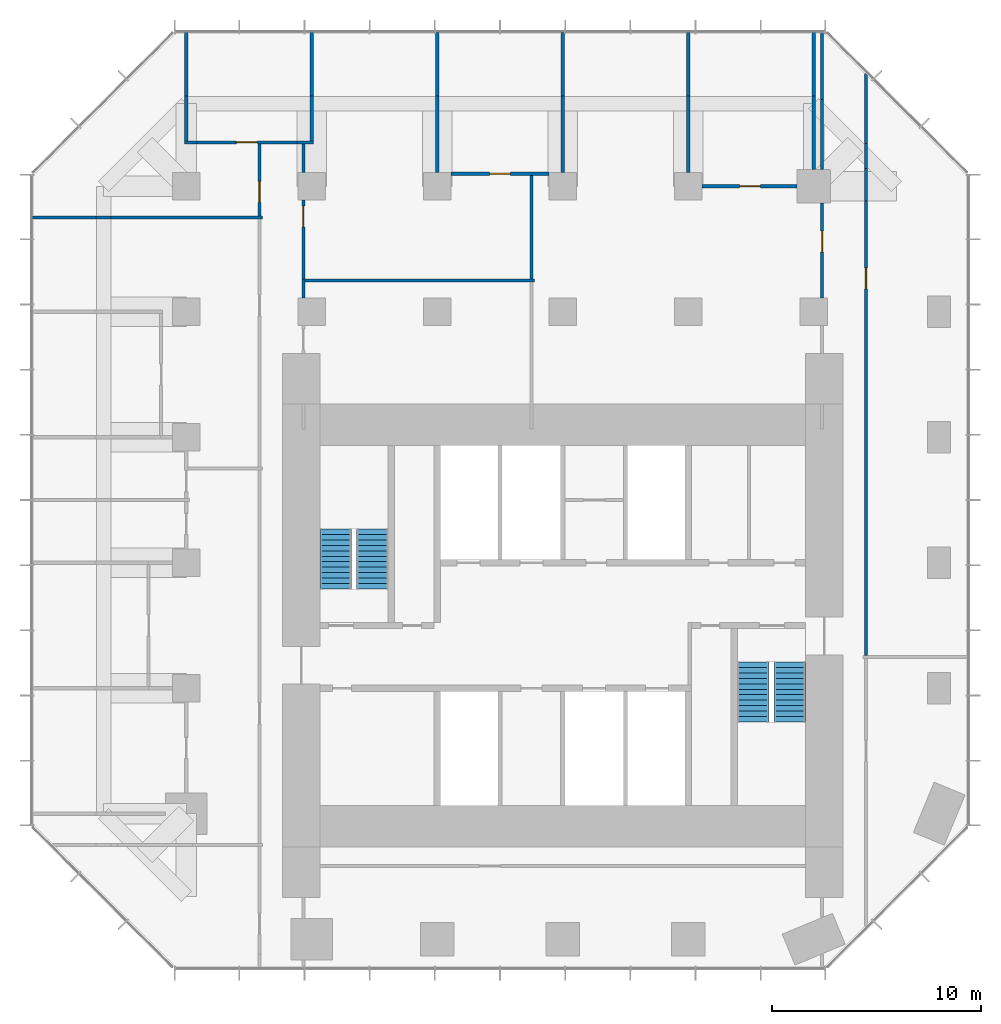
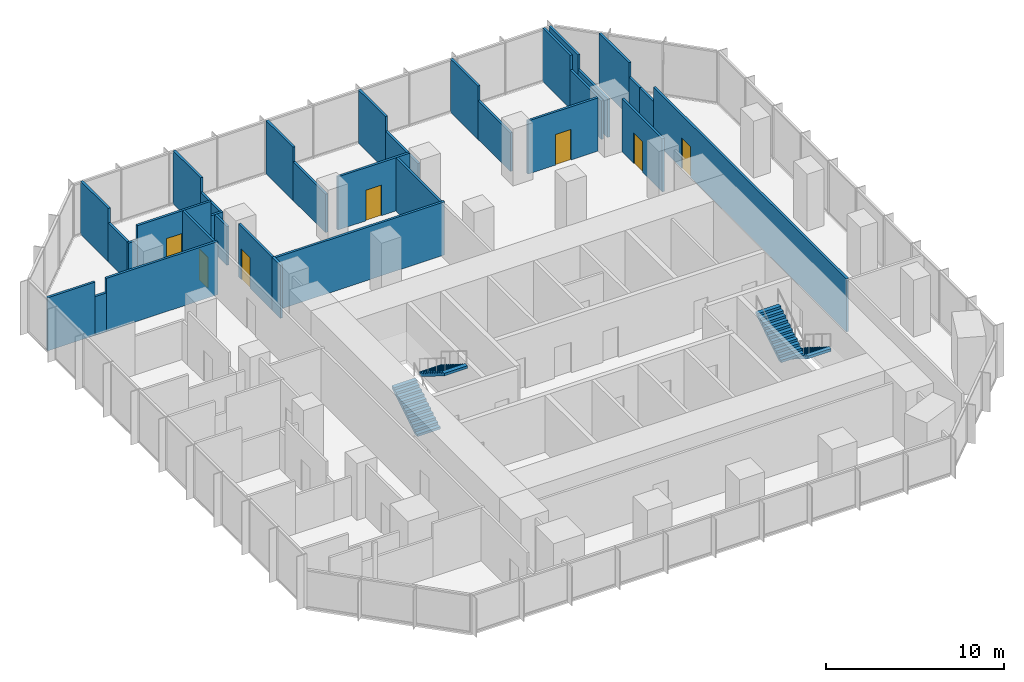
# One storey, part 10 of 11: 33 walls, 7 doors, 4 stair flights, 7 openings, 2 elements without a shape of their own.
"""IFC4 building model written with IfcOpenShell, lengths in metres."""

from ifc_helpers import new_model, si_unit, direction, frame, frame_2d, origin, place, context, subcontext, project, spatial, polyline, rectangle, outline, extrude, material, layer, layer_set, type_object, element, fill, aggregate, save


model = new_model("IFC4")

# Units and contexts
model_context = context("Model", 3, precision=1e-05, world=origin(), true_north=direction((0.0, 1.0)))
body_context = subcontext(model_context, "Body", "Model", "MODEL_VIEW")
ifc_project = project(units=[si_unit("LENGTHUNIT", "METRE"), si_unit("AREAUNIT", "SQUARE_METRE"), si_unit("VOLUMEUNIT", "CUBIC_METRE"), si_unit("PLANEANGLEUNIT", "RADIAN"), si_unit("MASSUNIT", "GRAM", prefix="KILO")], contexts=[model_context])

# Site, building, storey
site_placement = place(None, origin())
site = spatial("IfcSite", under=ifc_project, at=site_placement, CompositionType="ELEMENT")
building_placement = place(site_placement, origin())
building = spatial("IfcBuilding", under=site, at=building_placement, Name="Highveld Stack Headquarters", CompositionType="ELEMENT")
storey_placement = place(building_placement, frame((0.0, 0.0, 208.39990234375)))
storey = spatial("IfcBuildingStorey", under=building, at=storey_placement, Name="L51", CompositionType="ELEMENT", Elevation=208.39990234375)

# Wall, opening, door
ifc_material_1 = material(Name="Laminated glass in aluminium frame", Category="aluminium")
ifc_layer_1 = layer(ifc_material_1, 0.14990234375)
ifc_layer_set_1 = layer_set([ifc_layer_1], Name="Laminated glass in aluminium frame")
wall_type_1 = type_object("IfcWallType", Name="GLAZED PARTITION 150", PredefinedType="PARTITIONING", material=ifc_layer_set_1)
wall_1_placement = place(storey_placement, frame((12.659912109375, 24.0, 0.0), z_axis=(0.0, 0.0, 1.0), x_axis=(1.0, 0.0, 0.0)))
wall_1 = element("IfcWall", 1, at=wall_1_placement, inside=storey, type_object=wall_type_1, Name="Glazed partition Meeting room L51", PredefinedType="PARTITIONING", context=body_context, shape_type="SweptSolid", body=[
    extrude(rectangle(XDim=4.5400390625, YDim=0.14990234375, at=frame_2d((2.27001953125, 0.0))), origin(), (0.0, 0.0, 1.0), 3.650146484375),
])
opening_1_placement = place(wall_1_placement, frame((1.794921875, 0.0, 0.0)))
opening_1 = element("IfcOpeningElement", 2, at=opening_1_placement, cuts=wall_1, Name="Opening L51-20", PredefinedType="OPENING", context=body_context, shape_type="SweptSolid", body=[
    extrude(rectangle(XDim=1.0, YDim=2.10009765625, at=frame_2d((0.5, 1.050048828125))), frame((0.0, 0.0849609375, 0.0), z_axis=(0.0, -1.0, 0.0), x_axis=(1.0, 0.0, 0.0)), (0.0, 0.0, 1.0), 0.169921875),
])
ifc_material_2 = material(Name="Timber door, oiled ash", Category="wood")
door_type = type_object("IfcDoorType", Name="ROOM DOOR D6 1000x2100", OperationType="SINGLE_SWING_LEFT", PredefinedType="DOOR", material=ifc_material_2)
door_1_placement = place(opening_1_placement, origin())
door_1 = element("IfcDoor", 3, at=door_1_placement, inside=storey, type_object=door_type, Name="Meeting room door 1 L51", OperationType="SINGLE_SWING_RIGHT", OverallHeight=2.10009765625, OverallWidth=1.0, PredefinedType="DOOR", context=body_context, shape_type="SweptSolid", body=[
    extrude(rectangle(XDim=1.0, YDim=2.10009765625, at=frame_2d((0.5, 1.050048828125))), frame((0.0, 0.02490234375, 0.0), z_axis=(0.0, -1.0, 0.0), x_axis=(1.0, 0.0, 0.0)), (0.0, 0.0, 1.0), 0.050048828125),
])
fill(opening_1, door_1)

wall_2_placement = place(storey_placement, frame((0.659912109375, 24.60009765625, 0.0), z_axis=(0.0, 0.0, 1.0), x_axis=(1.0, 0.0, 0.0)))
wall_2 = element("IfcWall", 4, at=wall_2_placement, inside=storey, type_object=wall_type_1, Name="Glazed partition Video conference room L51", PredefinedType="PARTITIONING", context=body_context, shape_type="SweptSolid", body=[
    extrude(rectangle(XDim=4.68017578125, YDim=0.14990234375, at=frame_2d((2.340087890625, 0.0))), origin(), (0.0, 0.0, 1.0), 3.650146484375),
])
opening_2_placement = place(wall_2_placement, frame((1.840087890625, 0.0, 0.0)))
opening_2 = element("IfcOpeningElement", 5, at=opening_2_placement, cuts=wall_2, Name="Opening L51-19", PredefinedType="OPENING", context=body_context, shape_type="SweptSolid", body=[
    extrude(rectangle(XDim=1.0, YDim=2.10009765625, at=frame_2d((0.5, 1.050048828125))), frame((0.0, 0.0849609375, 0.0), z_axis=(0.0, -1.0, 0.0), x_axis=(1.0, 0.0, 0.0)), (0.0, 0.0, 1.0), 0.169921875),
])
door_2_placement = place(opening_2_placement, origin())
door_2 = element("IfcDoor", 6, at=door_2_placement, inside=storey, type_object=door_type, Name="Video conference room door 1 L51", OperationType="SINGLE_SWING_RIGHT", OverallHeight=2.10009765625, OverallWidth=1.0, PredefinedType="DOOR", context=body_context, shape_type="SweptSolid", body=[
    extrude(rectangle(XDim=1.0, YDim=2.10009765625, at=frame_2d((0.5, 1.050048828125))), frame((0.0, 0.02490234375, 0.0), z_axis=(0.0, -1.0, 0.0), x_axis=(1.0, 0.0, 0.0)), (0.0, 0.0, 1.0), 0.050048828125),
])
fill(opening_2, door_2)

# Wall
ifc_material_3 = material(Name="Gypsum plasterboard on steel studs", Category="steel")
ifc_layer_2 = layer(ifc_material_3, 0.14990234375)
ifc_layer_set_2 = layer_set([ifc_layer_2], Name="Gypsum plasterboard on steel studs")
wall_type_2 = type_object("IfcWallType", Name="PARTITION 150 PLASTERBOARD", PredefinedType="PARTITIONING", material=ifc_layer_set_2)
wall_3_placement = place(storey_placement, frame((-12.074951171875, 26.10009765625, 0.0), z_axis=(0.0, 0.0, 1.0), x_axis=(1.0, 0.0, 0.0)))
element("IfcWall", 7, at=wall_3_placement, inside=storey, type_object=wall_type_2, Name="Partition Focus room L51", PredefinedType="PARTITIONING", context=body_context, shape_type="SweptSolid", body=[
    extrude(rectangle(XDim=0.5849609375, YDim=0.14990234375, at=frame_2d((0.29248046875, 0.0))), origin(), (0.0, 0.0, 1.0), 2.650146484375),
])

# Wall, opening, door
wall_4_placement = place(storey_placement, frame((-11.489990234375, 26.10009765625, 0.0), z_axis=(0.0, 0.0, 1.0), x_axis=(1.0, 0.0, 0.0)))
wall_4 = element("IfcWall", 8, at=wall_4_placement, inside=storey, type_object=wall_type_2, Name="Partition Focus room L51", PredefinedType="PARTITIONING", context=body_context, shape_type="SweptSolid", body=[
    extrude(rectangle(XDim=4.780029296875, YDim=0.14990234375, at=frame_2d((2.39013671875, 0.0))), origin(), (0.0, 0.0, 1.0), 3.650146484375),
])
opening_3_placement = place(wall_4_placement, frame((1.889892578125, 0.0, 0.0)))
opening_3 = element("IfcOpeningElement", 9, at=opening_3_placement, cuts=wall_4, Name="Opening L51-18", PredefinedType="OPENING", context=body_context, shape_type="SweptSolid", body=[
    extrude(rectangle(XDim=1.0, YDim=2.10009765625, at=frame_2d((0.5, 1.050048828125))), frame((0.0, 0.0849609375, 0.0), z_axis=(0.0, -1.0, 0.0), x_axis=(1.0, 0.0, 0.0)), (0.0, 0.0, 1.0), 0.169921875),
])
door_3_placement = place(opening_3_placement, origin())
door_3 = element("IfcDoor", 10, at=door_3_placement, inside=storey, type_object=door_type, Name="Focus room door 1 L51", OperationType="SINGLE_SWING_RIGHT", OverallHeight=2.10009765625, OverallWidth=1.0, PredefinedType="DOOR", context=body_context, shape_type="SweptSolid", body=[
    extrude(rectangle(XDim=1.0, YDim=2.10009765625, at=frame_2d((0.5, 1.050048828125))), frame((0.0, 0.02490234375, 0.0), z_axis=(0.0, -1.0, 0.0), x_axis=(1.0, 0.0, 0.0)), (0.0, 0.0, 1.0), 0.050048828125),
])
fill(opening_3, door_3)

# Walls
wall_5_placement = place(storey_placement, frame((-6.7099609375, 26.10009765625, 0.0), z_axis=(0.0, 0.0, 1.0), x_axis=(1.0, 0.0, 0.0)))
element("IfcWall", 11, at=wall_5_placement, inside=storey, type_object=wall_type_2, Name="Partition Focus room L51", PredefinedType="PARTITIONING", context=body_context, shape_type="SweptSolid", body=[
    extrude(rectangle(XDim=0.784912109375, YDim=0.14990234375, at=frame_2d((0.392578125, 0.0))), origin(), (0.0, 0.0, 1.0), 2.650146484375),
])
wall_6_placement = place(storey_placement, frame((-12.0, 26.175048828125, 0.0), z_axis=(0.0, 0.0, 1.0), x_axis=(0.0, 1.0, 0.0)))
element("IfcWall", 12, at=wall_6_placement, inside=storey, type_object=wall_type_2, Name="Partition Focus room L51", PredefinedType="PARTITIONING", context=body_context, shape_type="SweptSolid", body=[
    extrude(rectangle(XDim=2.135009765625, YDim=0.14990234375, at=frame_2d((1.0673828125, 0.0))), origin(), (0.0, 0.0, 1.0), 2.650146484375),
])
wall_7_placement = place(storey_placement, frame((-12.0, 28.31005859375, 0.0), z_axis=(0.0, 0.0, 1.0), x_axis=(0.0, 1.0, 0.0)))
element("IfcWall", 13, at=wall_7_placement, inside=storey, type_object=wall_type_2, Name="Partition Focus room L51", PredefinedType="PARTITIONING", context=body_context, shape_type="SweptSolid", body=[
    extrude(rectangle(XDim=3.08984375, YDim=0.14990234375, at=frame_2d((1.544921875, 0.0))), origin(), (0.0, 0.0, 1.0), 3.650146484375),
])
wall_8_placement = place(storey_placement, frame((-6.0, 26.175048828125, 0.0), z_axis=(0.0, 0.0, 1.0), x_axis=(0.0, 1.0, 0.0)))
element("IfcWall", 14, at=wall_8_placement, inside=storey, type_object=wall_type_2, Name="Partition Focus room L51", PredefinedType="PARTITIONING", context=body_context, shape_type="SweptSolid", body=[
    extrude(rectangle(XDim=2.135009765625, YDim=0.14990234375, at=frame_2d((1.0673828125, 0.0))), origin(), (0.0, 0.0, 1.0), 2.650146484375),
])
wall_9_placement = place(storey_placement, frame((-6.0, 28.31005859375, 0.0), z_axis=(0.0, 0.0, 1.0), x_axis=(0.0, 1.0, 0.0)))
element("IfcWall", 15, at=wall_9_placement, inside=storey, type_object=wall_type_2, Name="Partition Focus room L51", PredefinedType="PARTITIONING", context=body_context, shape_type="SweptSolid", body=[
    extrude(rectangle(XDim=3.08984375, YDim=0.14990234375, at=frame_2d((1.544921875, 0.0))), origin(), (0.0, 0.0, 1.0), 3.650146484375),
])
wall_10_placement = place(storey_placement, frame((0.0, 24.64990234375, 0.0), z_axis=(0.0, 0.0, 1.0), x_axis=(0.0, 1.0, 0.0)))
element("IfcWall", 16, at=wall_10_placement, inside=storey, type_object=wall_type_2, Name="Partition Video conference room L51", PredefinedType="PARTITIONING", context=body_context, shape_type="SweptSolid", body=[
    extrude(rectangle(XDim=3.66015625, YDim=0.14990234375, at=frame_2d((1.830078125, 0.0))), origin(), (0.0, 0.0, 1.0), 2.650146484375),
])
wall_11_placement = place(storey_placement, frame((0.0, 28.31005859375, 0.0), z_axis=(0.0, 0.0, 1.0), x_axis=(0.0, 1.0, 0.0)))
element("IfcWall", 17, at=wall_11_placement, inside=storey, type_object=wall_type_2, Name="Partition Video conference room L51", PredefinedType="PARTITIONING", context=body_context, shape_type="SweptSolid", body=[
    extrude(rectangle(XDim=3.0400390625, YDim=0.14990234375, at=frame_2d((1.52001953125, 0.0))), origin(), (0.0, 0.0, 1.0), 3.650146484375),
])
wall_12_placement = place(storey_placement, frame((6.0, 24.64990234375, 0.0), z_axis=(0.0, 0.0, 1.0), x_axis=(0.0, 1.0, 0.0)))
element("IfcWall", 18, at=wall_12_placement, inside=storey, type_object=wall_type_2, Name="Partition Video conference room L51", PredefinedType="PARTITIONING", context=body_context, shape_type="SweptSolid", body=[
    extrude(rectangle(XDim=3.66015625, YDim=0.14990234375, at=frame_2d((1.830078125, 0.0))), origin(), (0.0, 0.0, 1.0), 2.650146484375),
])
wall_13_placement = place(storey_placement, frame((6.0, 28.31005859375, 0.0), z_axis=(0.0, 0.0, 1.0), x_axis=(0.0, 1.0, 0.0)))
element("IfcWall", 19, at=wall_13_placement, inside=storey, type_object=wall_type_2, Name="Partition Video conference room L51", PredefinedType="PARTITIONING", context=body_context, shape_type="SweptSolid", body=[
    extrude(rectangle(XDim=3.0400390625, YDim=0.14990234375, at=frame_2d((1.52001953125, 0.0))), origin(), (0.0, 0.0, 1.0), 3.650146484375),
])
wall_14_placement = place(storey_placement, frame((12.0, 24.64990234375, 0.0), z_axis=(0.0, 0.0, 1.0), x_axis=(0.0, 1.0, 0.0)))
element("IfcWall", 20, at=wall_14_placement, inside=storey, type_object=wall_type_2, Name="Partition Meeting room L51", PredefinedType="PARTITIONING", context=body_context, shape_type="SweptSolid", body=[
    extrude(rectangle(XDim=3.66015625, YDim=0.14990234375, at=frame_2d((1.830078125, 0.0))), origin(), (0.0, 0.0, 1.0), 2.650146484375),
])
wall_15_placement = place(storey_placement, frame((12.0, 28.31005859375, 0.0), z_axis=(0.0, 0.0, 1.0), x_axis=(0.0, 1.0, 0.0)))
element("IfcWall", 21, at=wall_15_placement, inside=storey, type_object=wall_type_2, Name="Partition Meeting room L51", PredefinedType="PARTITIONING", context=body_context, shape_type="SweptSolid", body=[
    extrude(rectangle(XDim=3.08984375, YDim=0.14990234375, at=frame_2d((1.544921875, 0.0))), origin(), (0.0, 0.0, 1.0), 3.650146484375),
])
wall_16_placement = place(storey_placement, frame((18.0, 24.800048828125, 0.0), z_axis=(0.0, 0.0, 1.0), x_axis=(0.0, 1.0, 0.0)))
element("IfcWall", 22, at=wall_16_placement, inside=storey, type_object=wall_type_2, Name="Partition Meeting room L51", PredefinedType="PARTITIONING", context=body_context, shape_type="SweptSolid", body=[
    extrude(rectangle(XDim=3.510009765625, YDim=0.14990234375, at=frame_2d((1.7548828125, 0.0))), origin(), (0.0, 0.0, 1.0), 2.650146484375),
])
for number, where, z_axis, x_axis, name in (
    (23, (18.0, 28.31005859375, 0.0), (0.0, 0.0, 1.0), (0.0, 1.0, 0.0), "Partition Meeting room L51"),
    (24, (-19.39990234375, 22.5, 0.0), (0.0, 0.0, 1.0), (1.0, 0.0, 0.0), "Partition office neighbourhood L51"),
):
    element("IfcWall", number, at=place(storey_placement, frame(where, z_axis=z_axis, x_axis=x_axis)), inside=storey, type_object=wall_type_2, Name=name, PredefinedType="PARTITIONING", context=body_context, shape_type="SweptSolid", body=[
        extrude(rectangle(XDim=3.08984375, YDim=0.14990234375, at=frame_2d((1.544921875, 0.0))), origin(), (0.0, 0.0, 1.0), 3.650146484375),
    ])
wall_17_placement = place(storey_placement, frame((-16.31005859375, 22.5, 0.0), z_axis=(0.0, 0.0, 1.0), x_axis=(1.0, 0.0, 0.0)))
element("IfcWall", 25, at=wall_17_placement, inside=storey, type_object=wall_type_2, Name="Partition office neighbourhood L51", PredefinedType="PARTITIONING", context=body_context, shape_type="SweptSolid", body=[
    extrude(rectangle(XDim=0.719970703125, YDim=0.14990234375, at=frame_2d((0.35986328125, 0.0))), origin(), (0.0, 0.0, 1.0), 2.650146484375),
])
wall_18_placement = place(storey_placement, frame((-15.590087890625, 22.5, 0.0), z_axis=(0.0, 0.0, 1.0), x_axis=(1.0, 0.0, 0.0)))
element("IfcWall", 26, at=wall_18_placement, inside=storey, type_object=wall_type_2, Name="Partition office neighbourhood L51", PredefinedType="PARTITIONING", context=body_context, shape_type="SweptSolid", body=[
    extrude(rectangle(XDim=7.239990234375, YDim=0.14990234375, at=frame_2d((3.6201171875, 0.0))), origin(), (0.0, 0.0, 1.0), 3.650146484375),
])

# Wall, opening, door
wall_19_placement = place(storey_placement, frame((-8.5, 22.574951171875, 0.0), z_axis=(0.0, 0.0, 1.0), x_axis=(0.0, 1.0, 0.0)))
wall_19 = element("IfcWall", 27, at=wall_19_placement, inside=storey, type_object=wall_type_2, Name="Partition office neighbourhood L51", PredefinedType="PARTITIONING", context=body_context, shape_type="SweptSolid", body=[
    extrude(rectangle(XDim=3.449951171875, YDim=0.14990234375, at=frame_2d((1.72509765625, 0.0))), origin(), (0.0, 0.0, 1.0), 3.650146484375),
])
opening_4_placement = place(wall_19_placement, frame((0.658935546875, 0.0, 0.0)))
opening_4 = element("IfcOpeningElement", 28, at=opening_4_placement, cuts=wall_19, Name="Opening L51-27", PredefinedType="OPENING", context=body_context, shape_type="SweptSolid", body=[
    extrude(rectangle(XDim=1.0, YDim=2.10009765625, at=frame_2d((0.5, 1.050048828125))), frame((0.0, 0.0849609375, 0.0), z_axis=(0.0, -1.0, 0.0), x_axis=(1.0, 0.0, 0.0)), (0.0, 0.0, 1.0), 0.169921875),
])
door_4_placement = place(opening_4_placement, origin())
door_4 = element("IfcDoor", 29, at=door_4_placement, inside=storey, type_object=door_type, Name="Office neighbourhood door L51", OperationType="SINGLE_SWING_LEFT", OverallHeight=2.10009765625, OverallWidth=1.0, PredefinedType="DOOR", context=body_context, shape_type="SweptSolid", body=[
    extrude(rectangle(XDim=1.0, YDim=2.10009765625, at=frame_2d((0.5, 1.050048828125))), frame((0.0, 0.02490234375, 0.0), z_axis=(0.0, -1.0, 0.0), x_axis=(1.0, 0.0, 0.0)), (0.0, 0.0, 1.0), 0.050048828125),
])
fill(opening_4, door_4)

# Wall
wall_20_placement = place(storey_placement, frame((-6.39990234375, 18.64990234375, 0.0), z_axis=(0.0, 0.0, 1.0), x_axis=(0.0, 1.0, 0.0)))
element("IfcWall", 30, at=wall_20_placement, inside=storey, type_object=wall_type_2, Name="Partition office neighbourhood L51", PredefinedType="PARTITIONING", context=body_context, shape_type="SweptSolid", body=[
    extrude(rectangle(XDim=0.925048828125, YDim=0.14990234375, at=frame_2d((0.46240234375, 0.0))), origin(), (0.0, 0.0, 1.0), 3.650146484375),
])

# Wall, opening, door
wall_21_placement = place(storey_placement, frame((-6.39990234375, 19.5, 0.0), z_axis=(0.0, 0.0, 1.0), x_axis=(0.0, 1.0, 0.0)))
wall_21 = element("IfcWall", 31, at=wall_21_placement, inside=storey, type_object=wall_type_2, Name="Partition office neighbourhood L51", PredefinedType="PARTITIONING", context=body_context, shape_type="SweptSolid", body=[
    extrude(rectangle(XDim=3.85009765625, YDim=0.14990234375, at=frame_2d((1.925048828125, 0.0))), origin(), (0.0, 0.0, 1.0), 3.650146484375),
])
opening_5_placement = place(wall_21_placement, frame((2.550048828125, 0.0, 0.0)))
opening_5 = element("IfcOpeningElement", 32, at=opening_5_placement, cuts=wall_21, Name="Opening L51-26", PredefinedType="OPENING", context=body_context, shape_type="SweptSolid", body=[
    extrude(rectangle(XDim=1.0, YDim=2.10009765625, at=frame_2d((0.5, 1.050048828125))), frame((0.0, 0.0849609375, 0.0), z_axis=(0.0, -1.0, 0.0), x_axis=(1.0, 0.0, 0.0)), (0.0, 0.0, 1.0), 0.169921875),
])
door_5_placement = place(opening_5_placement, origin())
door_5 = element("IfcDoor", 33, at=door_5_placement, inside=storey, type_object=door_type, Name="Office neighbourhood door L51", OperationType="SINGLE_SWING_RIGHT", OverallHeight=2.10009765625, OverallWidth=1.0, PredefinedType="DOOR", context=body_context, shape_type="SweptSolid", body=[
    extrude(rectangle(XDim=1.0, YDim=2.10009765625, at=frame_2d((0.5, 1.050048828125))), frame((0.0, 0.02490234375, 0.0), z_axis=(0.0, -1.0, 0.0), x_axis=(1.0, 0.0, 0.0)), (0.0, 0.0, 1.0), 0.050048828125),
])
fill(opening_5, door_5)

# Walls
wall_22_placement = place(storey_placement, frame((-6.39990234375, 24.64990234375, 0.0), z_axis=(0.0, 0.0, 1.0), x_axis=(0.0, 1.0, 0.0)))
element("IfcWall", 34, at=wall_22_placement, inside=storey, type_object=wall_type_2, Name="Partition office neighbourhood L51", PredefinedType="PARTITIONING", context=body_context, shape_type="SweptSolid", body=[
    extrude(rectangle(XDim=1.375, YDim=0.14990234375, at=frame_2d((0.6875, 0.0))), origin(), (0.0, 0.0, 1.0), 2.650146484375),
])
wall_23_placement = place(storey_placement, frame((-6.324951171875, 19.5, 0.0), z_axis=(0.0, 0.0, 1.0), x_axis=(1.0, 0.0, 0.0)))
element("IfcWall", 35, at=wall_23_placement, inside=storey, type_object=wall_type_2, Name="Partition office neighbourhood L51", PredefinedType="PARTITIONING", context=body_context, shape_type="SweptSolid", body=[
    extrude(rectangle(XDim=10.974853515625, YDim=0.14990234375, at=frame_2d((5.4873046875, 0.0))), origin(), (0.0, 0.0, 1.0), 3.650146484375),
])
wall_24_placement = place(storey_placement, frame((4.5, 19.574951171875, 0.0), z_axis=(0.0, 0.0, 1.0), x_axis=(0.0, 1.0, 0.0)))
element("IfcWall", 36, at=wall_24_placement, inside=storey, type_object=wall_type_2, Name="Partition office neighbourhood L51", PredefinedType="PARTITIONING", context=body_context, shape_type="SweptSolid", body=[
    extrude(rectangle(XDim=4.949951171875, YDim=0.14990234375, at=frame_2d((2.47509765625, 0.0))), origin(), (0.0, 0.0, 1.0), 3.650146484375),
])

# Wall, opening, door
wall_25_placement = place(storey_placement, frame((18.39990234375, 18.64990234375, 0.0), z_axis=(0.0, 0.0, 1.0), x_axis=(0.0, 1.0, 0.0)))
wall_25 = element("IfcWall", 37, at=wall_25_placement, inside=storey, type_object=wall_type_2, Name="Partition office neighbourhood L51", PredefinedType="PARTITIONING", context=body_context, shape_type="SweptSolid", body=[
    extrude(rectangle(XDim=4.550048828125, YDim=0.14990234375, at=frame_2d((2.27490234375, 0.0))), origin(), (0.0, 0.0, 1.0), 3.650146484375),
])
opening_6_placement = place(wall_25_placement, frame((2.205078125, 0.0, 0.0)))
opening_6 = element("IfcOpeningElement", 38, at=opening_6_placement, cuts=wall_25, Name="Opening L51-28", PredefinedType="OPENING", context=body_context, shape_type="SweptSolid", body=[
    extrude(rectangle(XDim=1.0, YDim=2.10009765625, at=frame_2d((0.5, 1.050048828125))), frame((0.0, 0.0849609375, 0.0), z_axis=(0.0, -1.0, 0.0), x_axis=(1.0, 0.0, 0.0)), (0.0, 0.0, 1.0), 0.169921875),
])
door_6_placement = place(opening_6_placement, origin())
door_6 = element("IfcDoor", 39, at=door_6_placement, inside=storey, type_object=door_type, Name="Office neighbourhood door L51", OperationType="SINGLE_SWING_RIGHT", OverallHeight=2.10009765625, OverallWidth=1.0, PredefinedType="DOOR", context=body_context, shape_type="SweptSolid", body=[
    extrude(rectangle(XDim=1.0, YDim=2.10009765625, at=frame_2d((0.5, 1.050048828125))), frame((0.0, 0.02490234375, 0.0), z_axis=(0.0, -1.0, 0.0), x_axis=(1.0, 0.0, 0.0)), (0.0, 0.0, 1.0), 0.050048828125),
])
fill(opening_6, door_6)

# Walls
wall_26_placement = place(storey_placement, frame((18.39990234375, 24.800048828125, 0.0), z_axis=(0.0, 0.0, 1.0), x_axis=(0.0, 1.0, 0.0)))
element("IfcWall", 40, at=wall_26_placement, inside=storey, type_object=wall_type_2, Name="Partition office neighbourhood L51", PredefinedType="PARTITIONING", context=body_context, shape_type="SweptSolid", body=[
    extrude(rectangle(XDim=3.33984375, YDim=0.14990234375, at=frame_2d((1.669921875, 0.0))), origin(), (0.0, 0.0, 1.0), 2.650146484375),
])
wall_27_placement = place(storey_placement, frame((18.39990234375, 28.139892578125, 0.0), z_axis=(0.0, 0.0, 1.0), x_axis=(0.0, 1.0, 0.0)))
element("IfcWall", 41, at=wall_27_placement, inside=storey, type_object=wall_type_2, Name="Partition office neighbourhood L51", PredefinedType="PARTITIONING", context=body_context, shape_type="SweptSolid", body=[
    extrude(rectangle(XDim=3.260009765625, YDim=0.14990234375, at=frame_2d((1.6298828125, 0.0))), origin(), (0.0, 0.0, 1.0), 3.650146484375),
])

# Wall, opening, door
wall_28_placement = place(storey_placement, frame((20.5, 1.574951171875, 0.0), z_axis=(0.0, 0.0, 1.0), x_axis=(0.0, 1.0, 0.0)))
wall_28 = element("IfcWall", 42, at=wall_28_placement, inside=storey, type_object=wall_type_2, Name="Partition office neighbourhood L51", PredefinedType="PARTITIONING", context=body_context, shape_type="SweptSolid", body=[
    extrude(rectangle(XDim=21.715087890625, YDim=0.14990234375, at=frame_2d((10.857421875, 0.0))), origin(), (0.0, 0.0, 1.0), 3.650146484375),
])
opening_7_placement = place(wall_28_placement, frame((17.52001953125, 0.0, 0.0)))
opening_7 = element("IfcOpeningElement", 43, at=opening_7_placement, cuts=wall_28, Name="Opening L51-24", PredefinedType="OPENING", context=body_context, shape_type="SweptSolid", body=[
    extrude(rectangle(XDim=1.0, YDim=2.10009765625, at=frame_2d((0.5, 1.050048828125))), frame((0.0, 0.0849609375, 0.0), z_axis=(0.0, -1.0, 0.0), x_axis=(1.0, 0.0, 0.0)), (0.0, 0.0, 1.0), 0.169921875),
])
door_7_placement = place(opening_7_placement, origin())
door_7 = element("IfcDoor", 44, at=door_7_placement, inside=storey, type_object=door_type, Name="Office neighbourhood door L51", OperationType="SINGLE_SWING_RIGHT", OverallHeight=2.10009765625, OverallWidth=1.0, PredefinedType="DOOR", context=body_context, shape_type="SweptSolid", body=[
    extrude(rectangle(XDim=1.0, YDim=2.10009765625, at=frame_2d((0.5, 1.050048828125))), frame((0.0, 0.02490234375, 0.0), z_axis=(0.0, -1.0, 0.0), x_axis=(1.0, 0.0, 0.0)), (0.0, 0.0, 1.0), 0.050048828125),
])
fill(opening_7, door_7)

# Walls
wall_29_placement = place(storey_placement, frame((20.5, 23.2900390625, 0.0), z_axis=(0.0, 0.0, 1.0), x_axis=(0.0, 1.0, 0.0)))
element("IfcWall", 45, at=wall_29_placement, inside=storey, type_object=wall_type_2, Name="Partition office neighbourhood L51", PredefinedType="PARTITIONING", context=body_context, shape_type="SweptSolid", body=[
    extrude(rectangle(XDim=1.570068359375, YDim=0.14990234375, at=frame_2d((0.78515625, 0.0))), origin(), (0.0, 0.0, 1.0), 2.650146484375),
])
wall_30_placement = place(storey_placement, frame((20.5, 24.860107421875, 0.0), z_axis=(0.0, 0.0, 1.0), x_axis=(0.0, 1.0, 0.0)))
element("IfcWall", 46, at=wall_30_placement, inside=storey, type_object=wall_type_2, Name="Partition office neighbourhood L51", PredefinedType="PARTITIONING", context=body_context, shape_type="SweptSolid", body=[
    extrude(rectangle(XDim=1.179931640625, YDim=0.14990234375, at=frame_2d((0.58984375, 0.0))), origin(), (0.0, 0.0, 1.0), 2.650146484375),
])
wall_31_placement = place(storey_placement, frame((20.5, 26.0400390625, 0.0), z_axis=(0.0, 0.0, 1.0), x_axis=(0.0, 1.0, 0.0)))
element("IfcWall", 47, at=wall_31_placement, inside=storey, type_object=wall_type_2, Name="Partition office neighbourhood L51", PredefinedType="PARTITIONING", context=body_context, shape_type="SweptSolid", body=[
    extrude(rectangle(XDim=3.347900390625, YDim=0.14990234375, at=frame_2d((1.673828125, 0.0))), origin(), (0.0, 0.0, 1.0), 3.650146484375),
])

# Stair, stair flights
ifc_material_4 = material(Name="Concrete C40/50, precast", Category="concrete")
stair_type_1 = type_object("IfcStairType", Name="STAIR S1 HALF TURN 1500", PredefinedType="HALF_TURN_STAIR", material=ifc_material_4)
stair_1_placement = place(storey_placement, origin())
stair_1 = element("IfcStair", 48, at=stair_1_placement, inside=storey, type_object=stair_type_1, Name="Stair S1 L51", PredefinedType="HALF_TURN_STAIR")
ifc_material_5 = material(Name="Concrete C40/50, precast", Category="concrete")
stair_flight_type = type_object("IfcStairFlightType", Name="STAIR FLIGHT 1500 PRECAST", PredefinedType="STRAIGHT", material=ifc_material_5)
stair_flight_1_placement = place(storey_placement, frame((-4.85009765625, 4.75, 0.0), z_axis=(0.0, 0.0, 1.0), x_axis=(0.0, 1.0, 0.0)))
stair_flight_1 = element("IfcStairFlight", 49, at=stair_flight_1_placement, type_object=stair_flight_type, Name="S1 flight 1", NumberOfRisers=12, NumberOfTreads=11, PredefinedType="STRAIGHT", RiserHeight=0.1625, TreadLength=0.26, context=body_context, shape_type="SweptSolid", body=[
    extrude(outline(polyline([(0.0, 0.0), (0.0, 0.16259765625), (0.260009765625, 0.16259765625), (0.260009765625, 0.324951171875), (0.52001953125, 0.324951171875), (0.52001953125, 0.487548828125), (0.780029296875, 0.487548828125), (0.780029296875, 0.64990234375), (1.0400390625, 0.64990234375), (1.0400390625, 0.8125), (1.300048828125, 0.8125), (1.300048828125, 0.97509765625), (1.56005859375, 0.97509765625), (1.56005859375, 1.137451171875), (1.820068359375, 1.137451171875), (1.820068359375, 1.300048828125), (2.080078125, 1.300048828125), (2.080078125, 1.46240234375), (2.340087890625, 1.46240234375), (2.340087890625, 1.625), (2.60009765625, 1.625), (2.60009765625, 1.78759765625), (2.860107421875, 1.78759765625), (2.860107421875, 1.949951171875), (2.860107421875, 1.61083984375), (0.28271484375, 0.0), (0.0, 0.0)])), frame((0.0, 0.75, 0.0), z_axis=(0.0, -1.0, 0.0), x_axis=(1.0, 0.0, 0.0)), (0.0, 0.0, 1.0), 1.5),
])
stair_flight_2_placement = place(storey_placement, frame((-3.10009765625, 7.610107421875, 1.9501953125), z_axis=(0.0, 0.0, 1.0), x_axis=(0.0, -1.0, 0.0)))
stair_flight_2 = element("IfcStairFlight", 50, at=stair_flight_2_placement, type_object=stair_flight_type, Name="S1 flight 2", NumberOfRisers=12, NumberOfTreads=11, PredefinedType="STRAIGHT", RiserHeight=0.1625, TreadLength=0.26, context=body_context, shape_type="SweptSolid", body=[
    extrude(outline(polyline([(0.0, 0.0), (0.0, 0.16259765625), (0.260009765625, 0.16259765625), (0.260009765625, 0.324951171875), (0.52001953125, 0.324951171875), (0.52001953125, 0.487548828125), (0.780029296875, 0.487548828125), (0.780029296875, 0.64990234375), (1.0400390625, 0.64990234375), (1.0400390625, 0.8125), (1.300048828125, 0.8125), (1.300048828125, 0.97509765625), (1.56005859375, 0.97509765625), (1.56005859375, 1.137451171875), (1.820068359375, 1.137451171875), (1.820068359375, 1.300048828125), (2.080078125, 1.300048828125), (2.080078125, 1.46240234375), (2.340087890625, 1.46240234375), (2.340087890625, 1.625), (2.60009765625, 1.625), (2.60009765625, 1.78759765625), (2.860107421875, 1.78759765625), (2.860107421875, 1.949951171875), (2.860107421875, 1.61083984375), (0.28271484375, 0.0), (0.0, 0.0)])), frame((0.0, 0.75, 0.0), z_axis=(0.0, -1.0, 0.0), x_axis=(1.0, 0.0, 0.0)), (0.0, 0.0, 1.0), 1.5),
])
aggregate(stair_1, [stair_flight_1, stair_flight_2])

ifc_material_6 = material(Name="Concrete C40/50, precast", Category="concrete")
stair_type_2 = type_object("IfcStairType", Name="STAIR S2 HALF TURN 1500", PredefinedType="HALF_TURN_STAIR", material=ifc_material_6)
stair_2_placement = place(storey_placement, origin())
stair_2 = element("IfcStair", 51, at=stair_2_placement, inside=storey, type_object=stair_type_2, Name="Stair S2 L51", PredefinedType="HALF_TURN_STAIR")
stair_flight_3_placement = place(storey_placement, frame((16.85009765625, 1.25, 0.0), z_axis=(0.0, 0.0, 1.0), x_axis=(0.0, -1.0, 0.0)))
stair_flight_3 = element("IfcStairFlight", 52, at=stair_flight_3_placement, type_object=stair_flight_type, Name="S2 flight 1", NumberOfRisers=12, NumberOfTreads=11, PredefinedType="STRAIGHT", RiserHeight=0.1625, TreadLength=0.26, context=body_context, shape_type="SweptSolid", body=[
    extrude(outline(polyline([(0.0, 0.0), (0.0, 0.16259765625), (0.260009765625, 0.16259765625), (0.260009765625, 0.324951171875), (0.52001953125, 0.324951171875), (0.52001953125, 0.487548828125), (0.780029296875, 0.487548828125), (0.780029296875, 0.64990234375), (1.0400390625, 0.64990234375), (1.0400390625, 0.8125), (1.300048828125, 0.8125), (1.300048828125, 0.97509765625), (1.56005859375, 0.97509765625), (1.56005859375, 1.137451171875), (1.820068359375, 1.137451171875), (1.820068359375, 1.300048828125), (2.080078125, 1.300048828125), (2.080078125, 1.46240234375), (2.340087890625, 1.46240234375), (2.340087890625, 1.625), (2.60009765625, 1.625), (2.60009765625, 1.78759765625), (2.860107421875, 1.78759765625), (2.860107421875, 1.949951171875), (2.860107421875, 1.61083984375), (0.28271484375, 0.0), (0.0, 0.0)])), frame((0.0, 0.75, 0.0), z_axis=(0.0, -1.0, 0.0), x_axis=(1.0, 0.0, 0.0)), (0.0, 0.0, 1.0), 1.5),
])
stair_flight_4_placement = place(storey_placement, frame((15.10009765625, -1.610107421875, 1.9501953125), z_axis=(0.0, 0.0, 1.0), x_axis=(0.0, 1.0, 0.0)))
stair_flight_4 = element("IfcStairFlight", 53, at=stair_flight_4_placement, type_object=stair_flight_type, Name="S2 flight 2", NumberOfRisers=12, NumberOfTreads=11, PredefinedType="STRAIGHT", RiserHeight=0.1625, TreadLength=0.26, context=body_context, shape_type="SweptSolid", body=[
    extrude(outline(polyline([(0.0, 0.0), (0.0, 0.16259765625), (0.260009765625, 0.16259765625), (0.260009765625, 0.324951171875), (0.52001953125, 0.324951171875), (0.52001953125, 0.487548828125), (0.780029296875, 0.487548828125), (0.780029296875, 0.64990234375), (1.0400390625, 0.64990234375), (1.0400390625, 0.8125), (1.300048828125, 0.8125), (1.300048828125, 0.97509765625), (1.56005859375, 0.97509765625), (1.56005859375, 1.137451171875), (1.820068359375, 1.137451171875), (1.820068359375, 1.300048828125), (2.080078125, 1.300048828125), (2.080078125, 1.46240234375), (2.340087890625, 1.46240234375), (2.340087890625, 1.625), (2.60009765625, 1.625), (2.60009765625, 1.78759765625), (2.860107421875, 1.78759765625), (2.860107421875, 1.949951171875), (2.860107421875, 1.61083984375), (0.28271484375, 0.0), (0.0, 0.0)])), frame((0.0, 0.75, 0.0), z_axis=(0.0, -1.0, 0.0), x_axis=(1.0, 0.0, 0.0)), (0.0, 0.0, 1.0), 1.5),
])
aggregate(stair_2, [stair_flight_3, stair_flight_4])

save(model, "model.ifc")
